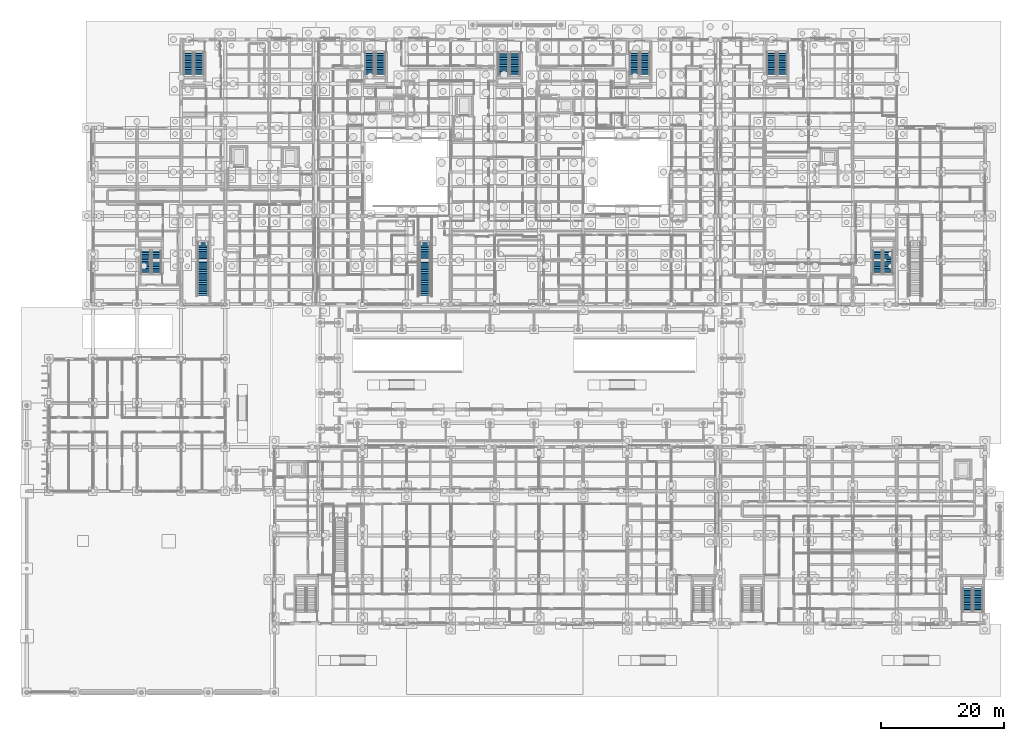
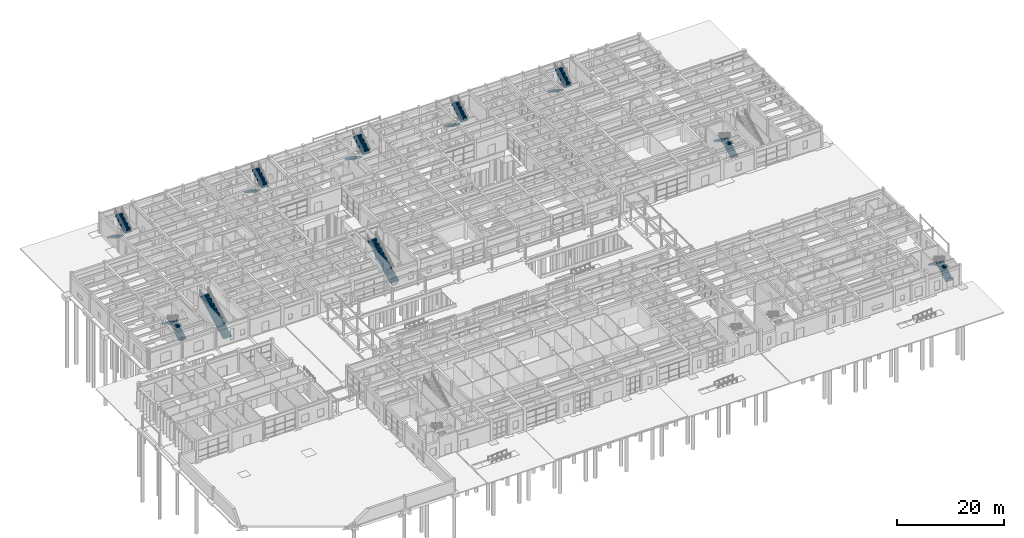
# One storey, part 123 of 143: 18 stair flights, 10 elements without a shape of their own.
"""IFC4 building model written with IfcOpenShell, lengths in metres."""

from ifc_helpers import new_model, si_unit, direction, frame, origin, place, context, subcontext, project, spatial, polyline, outline, extrude, material, type_object, element, aggregate, save


model = new_model("IFC4")

# Units and contexts
model_context = context("Model", 3, precision=1e-05, world=origin(), true_north=direction((0.0, 1.0)))
body_context = subcontext(model_context, "Body", "Model", "MODEL_VIEW")
ifc_project = project(units=[si_unit("LENGTHUNIT", "METRE"), si_unit("AREAUNIT", "SQUARE_METRE"), si_unit("VOLUMEUNIT", "CUBIC_METRE"), si_unit("PLANEANGLEUNIT", "RADIAN"), si_unit("MASSUNIT", "GRAM", prefix="KILO")], contexts=[model_context])

# Site, building, storey
site_placement = place(None, origin())
site = spatial("IfcSite", under=ifc_project, at=site_placement, CompositionType="ELEMENT")
building_placement = place(site_placement, origin())
building = spatial("IfcBuilding", under=site, at=building_placement, Name="Steenspoor Specialist Clinic", CompositionType="ELEMENT")
storey_placement = place(building_placement, origin())
storey = spatial("IfcBuildingStorey", under=building, at=storey_placement, Name="L00", CompositionType="ELEMENT", Elevation=0.0)

# Stair, stair flights
ifc_material = material(Name="Concrete C35/45", Category="concrete")
stair_type_1 = type_object("IfcStairType", Name="ST-CORE-L00", PredefinedType="HALF_TURN_STAIR", material=ifc_material)
stair_1_placement = place(storey_placement, origin())
stair_1 = element("IfcStair", 1, at=stair_1_placement, inside=storey, type_object=stair_type_1, Name="L00 Enclosed Exit Stair ST-V2B", PredefinedType="HALF_TURN_STAIR")
stair_flight_type_1 = type_object("IfcStairFlightType", Name="FL-CORE-L00", PredefinedType="STRAIGHT", material=ifc_material)
stair_flight_1_placement = place(storey_placement, frame((160.074951171875, 15.050048828125, 0.0), z_axis=(0.0, 0.0, 1.0), x_axis=(0.0, 1.0, 0.0)))
stair_flight_1 = element("IfcStairFlight", 2, at=stair_flight_1_placement, type_object=stair_flight_type_1, Name="ST-V2B flight 1", NumberOfRisers=14, NumberOfTreads=13, PredefinedType="STRAIGHT", RiserHeight=0.171428571, TreadLength=0.285, context=body_context, shape_type="SweptSolid", body=[
    extrude(outline(polyline([(0.0, 0.0), (0.0, 0.17138671875), (0.284912109375, 0.17138671875), (0.284912109375, 0.3427734375), (0.570068359375, 0.3427734375), (0.570068359375, 0.514404296875), (0.85498046875, 0.514404296875), (0.85498046875, 0.685791015625), (1.139892578125, 0.685791015625), (1.139892578125, 0.857177734375), (1.425048828125, 0.857177734375), (1.425048828125, 1.028564453125), (1.7099609375, 1.028564453125), (1.7099609375, 1.199951171875), (1.9951171875, 1.199951171875), (1.9951171875, 1.371337890625), (2.280029296875, 1.371337890625), (2.280029296875, 1.54296875), (2.56494140625, 1.54296875), (2.56494140625, 1.71435546875), (2.85009765625, 1.71435546875), (2.85009765625, 1.8857421875), (3.135009765625, 1.8857421875), (3.135009765625, 2.05712890625), (3.419921875, 2.05712890625), (3.419921875, 2.228515625), (3.705078125, 2.228515625), (3.705078125, 2.39990234375), (3.705078125, 2.0419921875), (0.310302734375, 0.0), (0.0, 0.0)])), frame((0.0, 0.77490234375, 0.0), z_axis=(0.0, -1.0, 0.0), x_axis=(1.0, 0.0, 0.0)), (0.0, 0.0, 1.0), 1.550048828125),
])
stair_flight_2_placement = place(storey_placement, frame((158.324951171875, 18.7548828125, 2.39990234375), z_axis=(0.0, 0.0, 1.0), x_axis=(0.0, -1.0, 0.0)))
stair_flight_2 = element("IfcStairFlight", 3, at=stair_flight_2_placement, type_object=stair_flight_type_1, Name="ST-V2B flight 2", NumberOfRisers=14, NumberOfTreads=13, PredefinedType="STRAIGHT", RiserHeight=0.171428571, TreadLength=0.285, context=body_context, shape_type="SweptSolid", body=[
    extrude(outline(polyline([(0.0, 0.0), (0.0, 0.17138671875), (0.284912109375, 0.17138671875), (0.284912109375, 0.3427734375), (0.570068359375, 0.3427734375), (0.570068359375, 0.514404296875), (0.85498046875, 0.514404296875), (0.85498046875, 0.685791015625), (1.139892578125, 0.685791015625), (1.139892578125, 0.857177734375), (1.425048828125, 0.857177734375), (1.425048828125, 1.028564453125), (1.7099609375, 1.028564453125), (1.7099609375, 1.199951171875), (1.9951171875, 1.199951171875), (1.9951171875, 1.371337890625), (2.280029296875, 1.371337890625), (2.280029296875, 1.54296875), (2.56494140625, 1.54296875), (2.56494140625, 1.71435546875), (2.85009765625, 1.71435546875), (2.85009765625, 1.8857421875), (3.135009765625, 1.8857421875), (3.135009765625, 2.05712890625), (3.419921875, 2.05712890625), (3.419921875, 2.228515625), (3.705078125, 2.228515625), (3.705078125, 2.39990234375), (3.705078125, 2.0419921875), (0.310302734375, 0.0), (0.0, 0.0)])), frame((0.0, 0.77490234375, 0.0), z_axis=(0.0, -1.0, 0.0), x_axis=(1.0, 0.0, 0.0)), (0.0, 0.0, 1.0), 1.550048828125),
])
aggregate(stair_1, [stair_flight_1, stair_flight_2])

stair_2_placement = place(storey_placement, origin())
stair_2 = element("IfcStair", 4, at=stair_2_placement, inside=storey, type_object=stair_type_1, Name="L00 Enclosed Exit Stair ST-V4A", PredefinedType="HALF_TURN_STAIR")
stair_flight_3_placement = place(storey_placement, frame((60.77490234375, 106.35009765625, 0.0), z_axis=(0.0, 0.0, 1.0), x_axis=(0.0, -1.0, 0.0)))
stair_flight_3 = element("IfcStairFlight", 5, at=stair_flight_3_placement, type_object=stair_flight_type_1, Name="ST-V4A flight 1", NumberOfRisers=14, NumberOfTreads=13, PredefinedType="STRAIGHT", RiserHeight=0.171428571, TreadLength=0.285, context=body_context, shape_type="SweptSolid", body=[
    extrude(outline(polyline([(0.0, 0.0), (0.0, 0.17138671875), (0.284912109375, 0.17138671875), (0.284912109375, 0.3427734375), (0.570068359375, 0.3427734375), (0.570068359375, 0.514404296875), (0.85498046875, 0.514404296875), (0.85498046875, 0.685791015625), (1.139892578125, 0.685791015625), (1.139892578125, 0.857177734375), (1.425048828125, 0.857177734375), (1.425048828125, 1.028564453125), (1.7099609375, 1.028564453125), (1.7099609375, 1.199951171875), (1.9951171875, 1.199951171875), (1.9951171875, 1.371337890625), (2.280029296875, 1.371337890625), (2.280029296875, 1.54296875), (2.56494140625, 1.54296875), (2.56494140625, 1.71435546875), (2.85009765625, 1.71435546875), (2.85009765625, 1.8857421875), (3.135009765625, 1.8857421875), (3.135009765625, 2.05712890625), (3.419921875, 2.05712890625), (3.419921875, 2.228515625), (3.705078125, 2.228515625), (3.705078125, 2.39990234375), (3.705078125, 2.0419921875), (0.310302734375, 0.0), (0.0, 0.0)])), frame((0.0, 0.77490234375, 0.0), z_axis=(0.0, -1.0, 0.0), x_axis=(1.0, 0.0, 0.0)), (0.0, 0.0, 1.0), 1.550048828125),
])
stair_flight_4_placement = place(storey_placement, frame((62.52490234375, 102.64501953125, 2.39990234375), z_axis=(0.0, 0.0, 1.0), x_axis=(0.0, 1.0, 0.0)))
stair_flight_4 = element("IfcStairFlight", 6, at=stair_flight_4_placement, type_object=stair_flight_type_1, Name="ST-V4A flight 2", NumberOfRisers=14, NumberOfTreads=13, PredefinedType="STRAIGHT", RiserHeight=0.171428571, TreadLength=0.285, context=body_context, shape_type="SweptSolid", body=[
    extrude(outline(polyline([(0.0, 0.0), (0.0, 0.17138671875), (0.284912109375, 0.17138671875), (0.284912109375, 0.3427734375), (0.570068359375, 0.3427734375), (0.570068359375, 0.514404296875), (0.85498046875, 0.514404296875), (0.85498046875, 0.685791015625), (1.139892578125, 0.685791015625), (1.139892578125, 0.857177734375), (1.425048828125, 0.857177734375), (1.425048828125, 1.028564453125), (1.7099609375, 1.028564453125), (1.7099609375, 1.199951171875), (1.9951171875, 1.199951171875), (1.9951171875, 1.371337890625), (2.280029296875, 1.371337890625), (2.280029296875, 1.54296875), (2.56494140625, 1.54296875), (2.56494140625, 1.71435546875), (2.85009765625, 1.71435546875), (2.85009765625, 1.8857421875), (3.135009765625, 1.8857421875), (3.135009765625, 2.05712890625), (3.419921875, 2.05712890625), (3.419921875, 2.228515625), (3.705078125, 2.228515625), (3.705078125, 2.39990234375), (3.705078125, 2.0419921875), (0.310302734375, 0.0), (0.0, 0.0)])), frame((0.0, 0.77490234375, 0.0), z_axis=(0.0, -1.0, 0.0), x_axis=(1.0, 0.0, 0.0)), (0.0, 0.0, 1.0), 1.550048828125),
])
aggregate(stair_2, [stair_flight_3, stair_flight_4])

stair_3_placement = place(storey_placement, origin())
stair_3 = element("IfcStair", 7, at=stair_3_placement, inside=storey, type_object=stair_type_1, Name="L00 Enclosed Exit Stair ST-V4B", PredefinedType="HALF_TURN_STAIR")
stair_flight_5_placement = place(storey_placement, frame((103.97509765625, 106.35009765625, 0.0), z_axis=(0.0, 0.0, 1.0), x_axis=(0.0, -1.0, 0.0)))
stair_flight_5 = element("IfcStairFlight", 8, at=stair_flight_5_placement, type_object=stair_flight_type_1, Name="ST-V4B flight 1", NumberOfRisers=14, NumberOfTreads=13, PredefinedType="STRAIGHT", RiserHeight=0.171428571, TreadLength=0.285, context=body_context, shape_type="SweptSolid", body=[
    extrude(outline(polyline([(0.0, 0.0), (0.0, 0.17138671875), (0.284912109375, 0.17138671875), (0.284912109375, 0.3427734375), (0.570068359375, 0.3427734375), (0.570068359375, 0.514404296875), (0.85498046875, 0.514404296875), (0.85498046875, 0.685791015625), (1.139892578125, 0.685791015625), (1.139892578125, 0.857177734375), (1.425048828125, 0.857177734375), (1.425048828125, 1.028564453125), (1.7099609375, 1.028564453125), (1.7099609375, 1.199951171875), (1.9951171875, 1.199951171875), (1.9951171875, 1.371337890625), (2.280029296875, 1.371337890625), (2.280029296875, 1.54296875), (2.56494140625, 1.54296875), (2.56494140625, 1.71435546875), (2.85009765625, 1.71435546875), (2.85009765625, 1.8857421875), (3.135009765625, 1.8857421875), (3.135009765625, 2.05712890625), (3.419921875, 2.05712890625), (3.419921875, 2.228515625), (3.705078125, 2.228515625), (3.705078125, 2.39990234375), (3.705078125, 2.0419921875), (0.310302734375, 0.0), (0.0, 0.0)])), frame((0.0, 0.77490234375, 0.0), z_axis=(0.0, -1.0, 0.0), x_axis=(1.0, 0.0, 0.0)), (0.0, 0.0, 1.0), 1.550048828125),
])
stair_flight_6_placement = place(storey_placement, frame((105.72509765625, 102.64501953125, 2.39990234375), z_axis=(0.0, 0.0, 1.0), x_axis=(0.0, 1.0, 0.0)))
stair_flight_6 = element("IfcStairFlight", 9, at=stair_flight_6_placement, type_object=stair_flight_type_1, Name="ST-V4B flight 2", NumberOfRisers=14, NumberOfTreads=13, PredefinedType="STRAIGHT", RiserHeight=0.171428571, TreadLength=0.285, context=body_context, shape_type="SweptSolid", body=[
    extrude(outline(polyline([(0.0, 0.0), (0.0, 0.17138671875), (0.284912109375, 0.17138671875), (0.284912109375, 0.3427734375), (0.570068359375, 0.3427734375), (0.570068359375, 0.514404296875), (0.85498046875, 0.514404296875), (0.85498046875, 0.685791015625), (1.139892578125, 0.685791015625), (1.139892578125, 0.857177734375), (1.425048828125, 0.857177734375), (1.425048828125, 1.028564453125), (1.7099609375, 1.028564453125), (1.7099609375, 1.199951171875), (1.9951171875, 1.199951171875), (1.9951171875, 1.371337890625), (2.280029296875, 1.371337890625), (2.280029296875, 1.54296875), (2.56494140625, 1.54296875), (2.56494140625, 1.71435546875), (2.85009765625, 1.71435546875), (2.85009765625, 1.8857421875), (3.135009765625, 1.8857421875), (3.135009765625, 2.05712890625), (3.419921875, 2.05712890625), (3.419921875, 2.228515625), (3.705078125, 2.228515625), (3.705078125, 2.39990234375), (3.705078125, 2.0419921875), (0.310302734375, 0.0), (0.0, 0.0)])), frame((0.0, 0.77490234375, 0.0), z_axis=(0.0, -1.0, 0.0), x_axis=(1.0, 0.0, 0.0)), (0.0, 0.0, 1.0), 1.550048828125),
])
aggregate(stair_3, [stair_flight_5, stair_flight_6])

stair_4_placement = place(storey_placement, origin())
stair_4 = element("IfcStair", 10, at=stair_4_placement, inside=storey, type_object=stair_type_1, Name="L00 Enclosed Exit Stair ST-V4C", PredefinedType="HALF_TURN_STAIR")
stair_flight_7_placement = place(storey_placement, frame((82.60009765625, 106.280029296875, 0.0), z_axis=(0.0, 0.0, 1.0), x_axis=(0.0, -1.0, 0.0)))
stair_flight_7 = element("IfcStairFlight", 11, at=stair_flight_7_placement, type_object=stair_flight_type_1, Name="ST-V4C flight 1", NumberOfRisers=14, NumberOfTreads=13, PredefinedType="STRAIGHT", RiserHeight=0.171428571, TreadLength=0.285, context=body_context, shape_type="SweptSolid", body=[
    extrude(outline(polyline([(0.0, 0.0), (0.0, 0.17138671875), (0.284912109375, 0.17138671875), (0.284912109375, 0.3427734375), (0.570068359375, 0.3427734375), (0.570068359375, 0.514404296875), (0.85498046875, 0.514404296875), (0.85498046875, 0.685791015625), (1.139892578125, 0.685791015625), (1.139892578125, 0.857177734375), (1.425048828125, 0.857177734375), (1.425048828125, 1.028564453125), (1.7099609375, 1.028564453125), (1.7099609375, 1.199951171875), (1.9951171875, 1.199951171875), (1.9951171875, 1.371337890625), (2.280029296875, 1.371337890625), (2.280029296875, 1.54296875), (2.56494140625, 1.54296875), (2.56494140625, 1.71435546875), (2.85009765625, 1.71435546875), (2.85009765625, 1.8857421875), (3.135009765625, 1.8857421875), (3.135009765625, 2.05712890625), (3.419921875, 2.05712890625), (3.419921875, 2.228515625), (3.705078125, 2.228515625), (3.705078125, 2.39990234375), (3.705078125, 2.0419921875), (0.310302734375, 0.0), (0.0, 0.0)])), frame((0.0, 0.85009765625, 0.0), z_axis=(0.0, -1.0, 0.0), x_axis=(1.0, 0.0, 0.0)), (0.0, 0.0, 1.0), 1.699951171875),
])
stair_flight_8_placement = place(storey_placement, frame((84.5, 102.574951171875, 2.39990234375), z_axis=(0.0, 0.0, 1.0), x_axis=(0.0, 1.0, 0.0)))
stair_flight_8 = element("IfcStairFlight", 12, at=stair_flight_8_placement, type_object=stair_flight_type_1, Name="ST-V4C flight 2", NumberOfRisers=14, NumberOfTreads=13, PredefinedType="STRAIGHT", RiserHeight=0.171428571, TreadLength=0.285, context=body_context, shape_type="SweptSolid", body=[
    extrude(outline(polyline([(0.0, 0.0), (0.0, 0.17138671875), (0.284912109375, 0.17138671875), (0.284912109375, 0.3427734375), (0.570068359375, 0.3427734375), (0.570068359375, 0.514404296875), (0.85498046875, 0.514404296875), (0.85498046875, 0.685791015625), (1.139892578125, 0.685791015625), (1.139892578125, 0.857177734375), (1.425048828125, 0.857177734375), (1.425048828125, 1.028564453125), (1.7099609375, 1.028564453125), (1.7099609375, 1.199951171875), (1.9951171875, 1.199951171875), (1.9951171875, 1.371337890625), (2.280029296875, 1.371337890625), (2.280029296875, 1.54296875), (2.56494140625, 1.54296875), (2.56494140625, 1.71435546875), (2.85009765625, 1.71435546875), (2.85009765625, 1.8857421875), (3.135009765625, 1.8857421875), (3.135009765625, 2.05712890625), (3.419921875, 2.05712890625), (3.419921875, 2.228515625), (3.705078125, 2.228515625), (3.705078125, 2.39990234375), (3.705078125, 2.0419921875), (0.310302734375, 0.0), (0.0, 0.0)])), frame((0.0, 0.85009765625, 0.0), z_axis=(0.0, -1.0, 0.0), x_axis=(1.0, 0.0, 0.0)), (0.0, 0.0, 1.0), 1.699951171875),
])
aggregate(stair_4, [stair_flight_7, stair_flight_8])

stair_5_placement = place(storey_placement, origin())
stair_5 = element("IfcStair", 13, at=stair_5_placement, inside=storey, type_object=stair_type_1, Name="L00 Enclosed Exit Stair ST-V5A", PredefinedType="HALF_TURN_STAIR")
stair_flight_9_placement = place(storey_placement, frame((31.175048828125, 106.35009765625, 0.0), z_axis=(0.0, 0.0, 1.0), x_axis=(0.0, -1.0, 0.0)))
stair_flight_9 = element("IfcStairFlight", 14, at=stair_flight_9_placement, type_object=stair_flight_type_1, Name="ST-V5A flight 1", NumberOfRisers=14, NumberOfTreads=13, PredefinedType="STRAIGHT", RiserHeight=0.171428571, TreadLength=0.285, context=body_context, shape_type="SweptSolid", body=[
    extrude(outline(polyline([(0.0, 0.0), (0.0, 0.17138671875), (0.284912109375, 0.17138671875), (0.284912109375, 0.3427734375), (0.570068359375, 0.3427734375), (0.570068359375, 0.514404296875), (0.85498046875, 0.514404296875), (0.85498046875, 0.685791015625), (1.139892578125, 0.685791015625), (1.139892578125, 0.857177734375), (1.425048828125, 0.857177734375), (1.425048828125, 1.028564453125), (1.7099609375, 1.028564453125), (1.7099609375, 1.199951171875), (1.9951171875, 1.199951171875), (1.9951171875, 1.371337890625), (2.280029296875, 1.371337890625), (2.280029296875, 1.54296875), (2.56494140625, 1.54296875), (2.56494140625, 1.71435546875), (2.85009765625, 1.71435546875), (2.85009765625, 1.8857421875), (3.135009765625, 1.8857421875), (3.135009765625, 2.05712890625), (3.419921875, 2.05712890625), (3.419921875, 2.228515625), (3.705078125, 2.228515625), (3.705078125, 2.39990234375), (3.705078125, 2.0419921875), (0.310302734375, 0.0), (0.0, 0.0)])), frame((0.0, 0.77490234375, 0.0), z_axis=(0.0, -1.0, 0.0), x_axis=(1.0, 0.0, 0.0)), (0.0, 0.0, 1.0), 1.550048828125),
])
stair_flight_10_placement = place(storey_placement, frame((32.925048828125, 102.64501953125, 2.39990234375), z_axis=(0.0, 0.0, 1.0), x_axis=(0.0, 1.0, 0.0)))
stair_flight_10 = element("IfcStairFlight", 15, at=stair_flight_10_placement, type_object=stair_flight_type_1, Name="ST-V5A flight 2", NumberOfRisers=14, NumberOfTreads=13, PredefinedType="STRAIGHT", RiserHeight=0.171428571, TreadLength=0.285, context=body_context, shape_type="SweptSolid", body=[
    extrude(outline(polyline([(0.0, 0.0), (0.0, 0.17138671875), (0.284912109375, 0.17138671875), (0.284912109375, 0.3427734375), (0.570068359375, 0.3427734375), (0.570068359375, 0.514404296875), (0.85498046875, 0.514404296875), (0.85498046875, 0.685791015625), (1.139892578125, 0.685791015625), (1.139892578125, 0.857177734375), (1.425048828125, 0.857177734375), (1.425048828125, 1.028564453125), (1.7099609375, 1.028564453125), (1.7099609375, 1.199951171875), (1.9951171875, 1.199951171875), (1.9951171875, 1.371337890625), (2.280029296875, 1.371337890625), (2.280029296875, 1.54296875), (2.56494140625, 1.54296875), (2.56494140625, 1.71435546875), (2.85009765625, 1.71435546875), (2.85009765625, 1.8857421875), (3.135009765625, 1.8857421875), (3.135009765625, 2.05712890625), (3.419921875, 2.05712890625), (3.419921875, 2.228515625), (3.705078125, 2.228515625), (3.705078125, 2.39990234375), (3.705078125, 2.0419921875), (0.310302734375, 0.0), (0.0, 0.0)])), frame((0.0, 0.77490234375, 0.0), z_axis=(0.0, -1.0, 0.0), x_axis=(1.0, 0.0, 0.0)), (0.0, 0.0, 1.0), 1.550048828125),
])
aggregate(stair_5, [stair_flight_9, stair_flight_10])

stair_6_placement = place(storey_placement, origin())
stair_6 = element("IfcStair", 16, at=stair_6_placement, inside=storey, type_object=stair_type_1, Name="L00 Enclosed Exit Stair ST-V5B", PredefinedType="HALF_TURN_STAIR")
stair_flight_11_placement = place(storey_placement, frame((25.97509765625, 70.14990234375, 0.0), z_axis=(0.0, 0.0, 1.0), x_axis=(0.0, 1.0, 0.0)))
stair_flight_11 = element("IfcStairFlight", 17, at=stair_flight_11_placement, type_object=stair_flight_type_1, Name="ST-V5B flight 1", NumberOfRisers=14, NumberOfTreads=13, PredefinedType="STRAIGHT", RiserHeight=0.171428571, TreadLength=0.285, context=body_context, shape_type="SweptSolid", body=[
    extrude(outline(polyline([(0.0, 0.0), (0.0, 0.17138671875), (0.284912109375, 0.17138671875), (0.284912109375, 0.3427734375), (0.570068359375, 0.3427734375), (0.570068359375, 0.514404296875), (0.85498046875, 0.514404296875), (0.85498046875, 0.685791015625), (1.139892578125, 0.685791015625), (1.139892578125, 0.857177734375), (1.425048828125, 0.857177734375), (1.425048828125, 1.028564453125), (1.7099609375, 1.028564453125), (1.7099609375, 1.199951171875), (1.9951171875, 1.199951171875), (1.9951171875, 1.371337890625), (2.280029296875, 1.371337890625), (2.280029296875, 1.54296875), (2.56494140625, 1.54296875), (2.56494140625, 1.71435546875), (2.85009765625, 1.71435546875), (2.85009765625, 1.8857421875), (3.135009765625, 1.8857421875), (3.135009765625, 2.05712890625), (3.419921875, 2.05712890625), (3.419921875, 2.228515625), (3.705078125, 2.228515625), (3.705078125, 2.39990234375), (3.705078125, 2.0419921875), (0.310302734375, 0.0), (0.0, 0.0)])), frame((0.0, 0.77490234375, 0.0), z_axis=(0.0, -1.0, 0.0), x_axis=(1.0, 0.0, 0.0)), (0.0, 0.0, 1.0), 1.550048828125),
])
stair_flight_12_placement = place(storey_placement, frame((24.22509765625, 73.85498046875, 2.39990234375), z_axis=(0.0, 0.0, 1.0), x_axis=(0.0, -1.0, 0.0)))
stair_flight_12 = element("IfcStairFlight", 18, at=stair_flight_12_placement, type_object=stair_flight_type_1, Name="ST-V5B flight 2", NumberOfRisers=14, NumberOfTreads=13, PredefinedType="STRAIGHT", RiserHeight=0.171428571, TreadLength=0.285, context=body_context, shape_type="SweptSolid", body=[
    extrude(outline(polyline([(0.0, 0.0), (0.0, 0.17138671875), (0.284912109375, 0.17138671875), (0.284912109375, 0.3427734375), (0.570068359375, 0.3427734375), (0.570068359375, 0.514404296875), (0.85498046875, 0.514404296875), (0.85498046875, 0.685791015625), (1.139892578125, 0.685791015625), (1.139892578125, 0.857177734375), (1.425048828125, 0.857177734375), (1.425048828125, 1.028564453125), (1.7099609375, 1.028564453125), (1.7099609375, 1.199951171875), (1.9951171875, 1.199951171875), (1.9951171875, 1.371337890625), (2.280029296875, 1.371337890625), (2.280029296875, 1.54296875), (2.56494140625, 1.54296875), (2.56494140625, 1.71435546875), (2.85009765625, 1.71435546875), (2.85009765625, 1.8857421875), (3.135009765625, 1.8857421875), (3.135009765625, 2.05712890625), (3.419921875, 2.05712890625), (3.419921875, 2.228515625), (3.705078125, 2.228515625), (3.705078125, 2.39990234375), (3.705078125, 2.0419921875), (0.310302734375, 0.0), (0.0, 0.0)])), frame((0.0, 0.77490234375, 0.0), z_axis=(0.0, -1.0, 0.0), x_axis=(1.0, 0.0, 0.0)), (0.0, 0.0, 1.0), 1.550048828125),
])
aggregate(stair_6, [stair_flight_11, stair_flight_12])

stair_7_placement = place(storey_placement, origin())
stair_7 = element("IfcStair", 19, at=stair_7_placement, inside=storey, type_object=stair_type_1, Name="L00 Enclosed Exit Stair ST-V6A", PredefinedType="HALF_TURN_STAIR")
stair_flight_13_placement = place(storey_placement, frame((126.375, 106.35009765625, 0.0), z_axis=(0.0, 0.0, 1.0), x_axis=(0.0, -1.0, 0.0)))
stair_flight_13 = element("IfcStairFlight", 20, at=stair_flight_13_placement, type_object=stair_flight_type_1, Name="ST-V6A flight 1", NumberOfRisers=14, NumberOfTreads=13, PredefinedType="STRAIGHT", RiserHeight=0.171428571, TreadLength=0.285, context=body_context, shape_type="SweptSolid", body=[
    extrude(outline(polyline([(0.0, 0.0), (0.0, 0.17138671875), (0.284912109375, 0.17138671875), (0.284912109375, 0.3427734375), (0.570068359375, 0.3427734375), (0.570068359375, 0.514404296875), (0.85498046875, 0.514404296875), (0.85498046875, 0.685791015625), (1.139892578125, 0.685791015625), (1.139892578125, 0.857177734375), (1.425048828125, 0.857177734375), (1.425048828125, 1.028564453125), (1.7099609375, 1.028564453125), (1.7099609375, 1.199951171875), (1.9951171875, 1.199951171875), (1.9951171875, 1.371337890625), (2.280029296875, 1.371337890625), (2.280029296875, 1.54296875), (2.56494140625, 1.54296875), (2.56494140625, 1.71435546875), (2.85009765625, 1.71435546875), (2.85009765625, 1.8857421875), (3.135009765625, 1.8857421875), (3.135009765625, 2.05712890625), (3.419921875, 2.05712890625), (3.419921875, 2.228515625), (3.705078125, 2.228515625), (3.705078125, 2.39990234375), (3.705078125, 2.0419921875), (0.310302734375, 0.0), (0.0, 0.0)])), frame((0.0, 0.77490234375, 0.0), z_axis=(0.0, -1.0, 0.0), x_axis=(1.0, 0.0, 0.0)), (0.0, 0.0, 1.0), 1.550048828125),
])
stair_flight_14_placement = place(storey_placement, frame((128.125, 102.64501953125, 2.39990234375), z_axis=(0.0, 0.0, 1.0), x_axis=(0.0, 1.0, 0.0)))
stair_flight_14 = element("IfcStairFlight", 21, at=stair_flight_14_placement, type_object=stair_flight_type_1, Name="ST-V6A flight 2", NumberOfRisers=14, NumberOfTreads=13, PredefinedType="STRAIGHT", RiserHeight=0.171428571, TreadLength=0.285, context=body_context, shape_type="SweptSolid", body=[
    extrude(outline(polyline([(0.0, 0.0), (0.0, 0.17138671875), (0.284912109375, 0.17138671875), (0.284912109375, 0.3427734375), (0.570068359375, 0.3427734375), (0.570068359375, 0.514404296875), (0.85498046875, 0.514404296875), (0.85498046875, 0.685791015625), (1.139892578125, 0.685791015625), (1.139892578125, 0.857177734375), (1.425048828125, 0.857177734375), (1.425048828125, 1.028564453125), (1.7099609375, 1.028564453125), (1.7099609375, 1.199951171875), (1.9951171875, 1.199951171875), (1.9951171875, 1.371337890625), (2.280029296875, 1.371337890625), (2.280029296875, 1.54296875), (2.56494140625, 1.54296875), (2.56494140625, 1.71435546875), (2.85009765625, 1.71435546875), (2.85009765625, 1.8857421875), (3.135009765625, 1.8857421875), (3.135009765625, 2.05712890625), (3.419921875, 2.05712890625), (3.419921875, 2.228515625), (3.705078125, 2.228515625), (3.705078125, 2.39990234375), (3.705078125, 2.0419921875), (0.310302734375, 0.0), (0.0, 0.0)])), frame((0.0, 0.77490234375, 0.0), z_axis=(0.0, -1.0, 0.0), x_axis=(1.0, 0.0, 0.0)), (0.0, 0.0, 1.0), 1.550048828125),
])
aggregate(stair_7, [stair_flight_13, stair_flight_14])

stair_8_placement = place(storey_placement, origin())
stair_8 = element("IfcStair", 22, at=stair_8_placement, inside=storey, type_object=stair_type_1, Name="L00 Enclosed Exit Stair ST-V6B", PredefinedType="HALF_TURN_STAIR")
stair_flight_15_placement = place(storey_placement, frame((145.375, 70.14990234375, 0.0), z_axis=(0.0, 0.0, 1.0), x_axis=(0.0, 1.0, 0.0)))
stair_flight_15 = element("IfcStairFlight", 23, at=stair_flight_15_placement, type_object=stair_flight_type_1, Name="ST-V6B flight 1", NumberOfRisers=14, NumberOfTreads=13, PredefinedType="STRAIGHT", RiserHeight=0.171428571, TreadLength=0.285, context=body_context, shape_type="SweptSolid", body=[
    extrude(outline(polyline([(0.0, 0.0), (0.0, 0.17138671875), (0.284912109375, 0.17138671875), (0.284912109375, 0.3427734375), (0.570068359375, 0.3427734375), (0.570068359375, 0.514404296875), (0.85498046875, 0.514404296875), (0.85498046875, 0.685791015625), (1.139892578125, 0.685791015625), (1.139892578125, 0.857177734375), (1.425048828125, 0.857177734375), (1.425048828125, 1.028564453125), (1.7099609375, 1.028564453125), (1.7099609375, 1.199951171875), (1.9951171875, 1.199951171875), (1.9951171875, 1.371337890625), (2.280029296875, 1.371337890625), (2.280029296875, 1.54296875), (2.56494140625, 1.54296875), (2.56494140625, 1.71435546875), (2.85009765625, 1.71435546875), (2.85009765625, 1.8857421875), (3.135009765625, 1.8857421875), (3.135009765625, 2.05712890625), (3.419921875, 2.05712890625), (3.419921875, 2.228515625), (3.705078125, 2.228515625), (3.705078125, 2.39990234375), (3.705078125, 2.0419921875), (0.310302734375, 0.0), (0.0, 0.0)])), frame((0.0, 0.77490234375, 0.0), z_axis=(0.0, -1.0, 0.0), x_axis=(1.0, 0.0, 0.0)), (0.0, 0.0, 1.0), 1.550048828125),
])
stair_flight_16_placement = place(storey_placement, frame((143.625, 73.85498046875, 2.39990234375), z_axis=(0.0, 0.0, 1.0), x_axis=(0.0, -1.0, 0.0)))
stair_flight_16 = element("IfcStairFlight", 24, at=stair_flight_16_placement, type_object=stair_flight_type_1, Name="ST-V6B flight 2", NumberOfRisers=14, NumberOfTreads=13, PredefinedType="STRAIGHT", RiserHeight=0.171428571, TreadLength=0.285, context=body_context, shape_type="SweptSolid", body=[
    extrude(outline(polyline([(0.0, 0.0), (0.0, 0.17138671875), (0.284912109375, 0.17138671875), (0.284912109375, 0.3427734375), (0.570068359375, 0.3427734375), (0.570068359375, 0.514404296875), (0.85498046875, 0.514404296875), (0.85498046875, 0.685791015625), (1.139892578125, 0.685791015625), (1.139892578125, 0.857177734375), (1.425048828125, 0.857177734375), (1.425048828125, 1.028564453125), (1.7099609375, 1.028564453125), (1.7099609375, 1.199951171875), (1.9951171875, 1.199951171875), (1.9951171875, 1.371337890625), (2.280029296875, 1.371337890625), (2.280029296875, 1.54296875), (2.56494140625, 1.54296875), (2.56494140625, 1.71435546875), (2.85009765625, 1.71435546875), (2.85009765625, 1.8857421875), (3.135009765625, 1.8857421875), (3.135009765625, 2.05712890625), (3.419921875, 2.05712890625), (3.419921875, 2.228515625), (3.705078125, 2.228515625), (3.705078125, 2.39990234375), (3.705078125, 2.0419921875), (0.310302734375, 0.0), (0.0, 0.0)])), frame((0.0, 0.77490234375, 0.0), z_axis=(0.0, -1.0, 0.0), x_axis=(1.0, 0.0, 0.0)), (0.0, 0.0, 1.0), 1.550048828125),
])
aggregate(stair_8, [stair_flight_15, stair_flight_16])

# Stair, stair flight
stair_type_2 = type_object("IfcStairType", Name="ST-FEAT-L00", PredefinedType="STRAIGHT_RUN_STAIR", material=ifc_material)
stair_9_placement = place(storey_placement, origin())
stair_9 = element("IfcStair", 25, at=stair_9_placement, inside=storey, type_object=stair_type_2, Name="Feature Atrium Stair ST-F02", PredefinedType="STRAIGHT_RUN_STAIR")
stair_flight_type_2 = type_object("IfcStairFlightType", Name="FL-FEAT-L00", PredefinedType="STRAIGHT", material=ifc_material)
stair_flight_17_placement = place(storey_placement, frame((69.800048828125, 66.60009765625, 0.0), z_axis=(0.0, 0.0, 1.0), x_axis=(0.0, 1.0, 0.0)))
stair_flight_17 = element("IfcStairFlight", 26, at=stair_flight_17_placement, type_object=stair_flight_type_2, Name="ST-F02 flight 1", NumberOfRisers=30, NumberOfTreads=29, PredefinedType="STRAIGHT", RiserHeight=0.16, TreadLength=0.3, context=body_context, shape_type="SweptSolid", body=[
    extrude(outline(polyline([(0.0, 0.0), (0.0, 0.159912109375), (0.300048828125, 0.159912109375), (0.300048828125, 0.320068359375), (0.60009765625, 0.320068359375), (0.60009765625, 0.47998046875), (0.89990234375, 0.47998046875), (0.89990234375, 0.639892578125), (1.199951171875, 0.639892578125), (1.199951171875, 0.800048828125), (1.5, 0.800048828125), (1.5, 0.9599609375), (1.800048828125, 0.9599609375), (1.800048828125, 1.1201171875), (2.10009765625, 1.1201171875), (2.10009765625, 1.280029296875), (2.39990234375, 1.280029296875), (2.39990234375, 1.43994140625), (2.699951171875, 1.43994140625), (2.699951171875, 1.60009765625), (3.0, 1.60009765625), (3.0, 1.760009765625), (3.300048828125, 1.760009765625), (3.300048828125, 1.919921875), (3.60009765625, 1.919921875), (3.60009765625, 2.080078125), (3.89990234375, 2.080078125), (3.89990234375, 2.239990234375), (4.199951171875, 2.239990234375), (4.199951171875, 2.39990234375), (4.5, 2.39990234375), (4.5, 2.56005859375), (4.800048828125, 2.56005859375), (4.800048828125, 2.719970703125), (5.10009765625, 2.719970703125), (5.10009765625, 2.8798828125), (5.39990234375, 2.8798828125), (5.39990234375, 3.0400390625), (5.699951171875, 3.0400390625), (5.699951171875, 3.199951171875), (6.0, 3.199951171875), (6.0, 3.360107421875), (6.300048828125, 3.360107421875), (6.300048828125, 3.52001953125), (6.60009765625, 3.52001953125), (6.60009765625, 3.679931640625), (6.89990234375, 3.679931640625), (6.89990234375, 3.840087890625), (7.199951171875, 3.840087890625), (7.199951171875, 4.0), (7.5, 4.0), (7.5, 4.159912109375), (7.800048828125, 4.159912109375), (7.800048828125, 4.320068359375), (8.10009765625, 4.320068359375), (8.10009765625, 4.47998046875), (8.39990234375, 4.47998046875), (8.39990234375, 4.639892578125), (8.699951171875, 4.639892578125), (8.699951171875, 4.800048828125), (8.699951171875, 4.458740234375), (0.33984375, 0.0), (0.0, 0.0)])), frame((0.0, 0.925048828125, 0.0), z_axis=(0.0, -1.0, 0.0), x_axis=(1.0, 0.0, 0.0)), (0.0, 0.0, 1.0), 1.85009765625),
])
aggregate(stair_9, [stair_flight_17])

stair_10_placement = place(storey_placement, origin())
stair_10 = element("IfcStair", 27, at=stair_10_placement, inside=storey, type_object=stair_type_2, Name="Feature Atrium Stair ST-F05", PredefinedType="STRAIGHT_RUN_STAIR")
stair_flight_18_placement = place(storey_placement, frame((33.60009765625, 66.60009765625, 0.0), z_axis=(0.0, 0.0, 1.0), x_axis=(0.0, 1.0, 0.0)))
stair_flight_18 = element("IfcStairFlight", 28, at=stair_flight_18_placement, type_object=stair_flight_type_2, Name="ST-F05 flight 1", NumberOfRisers=30, NumberOfTreads=29, PredefinedType="STRAIGHT", RiserHeight=0.16, TreadLength=0.3, context=body_context, shape_type="SweptSolid", body=[
    extrude(outline(polyline([(0.0, 0.0), (0.0, 0.159912109375), (0.300048828125, 0.159912109375), (0.300048828125, 0.320068359375), (0.60009765625, 0.320068359375), (0.60009765625, 0.47998046875), (0.89990234375, 0.47998046875), (0.89990234375, 0.639892578125), (1.199951171875, 0.639892578125), (1.199951171875, 0.800048828125), (1.5, 0.800048828125), (1.5, 0.9599609375), (1.800048828125, 0.9599609375), (1.800048828125, 1.1201171875), (2.10009765625, 1.1201171875), (2.10009765625, 1.280029296875), (2.39990234375, 1.280029296875), (2.39990234375, 1.43994140625), (2.699951171875, 1.43994140625), (2.699951171875, 1.60009765625), (3.0, 1.60009765625), (3.0, 1.760009765625), (3.300048828125, 1.760009765625), (3.300048828125, 1.919921875), (3.60009765625, 1.919921875), (3.60009765625, 2.080078125), (3.89990234375, 2.080078125), (3.89990234375, 2.239990234375), (4.199951171875, 2.239990234375), (4.199951171875, 2.39990234375), (4.5, 2.39990234375), (4.5, 2.56005859375), (4.800048828125, 2.56005859375), (4.800048828125, 2.719970703125), (5.10009765625, 2.719970703125), (5.10009765625, 2.8798828125), (5.39990234375, 2.8798828125), (5.39990234375, 3.0400390625), (5.699951171875, 3.0400390625), (5.699951171875, 3.199951171875), (6.0, 3.199951171875), (6.0, 3.360107421875), (6.300048828125, 3.360107421875), (6.300048828125, 3.52001953125), (6.60009765625, 3.52001953125), (6.60009765625, 3.679931640625), (6.89990234375, 3.679931640625), (6.89990234375, 3.840087890625), (7.199951171875, 3.840087890625), (7.199951171875, 4.0), (7.5, 4.0), (7.5, 4.159912109375), (7.800048828125, 4.159912109375), (7.800048828125, 4.320068359375), (8.10009765625, 4.320068359375), (8.10009765625, 4.47998046875), (8.39990234375, 4.47998046875), (8.39990234375, 4.639892578125), (8.699951171875, 4.639892578125), (8.699951171875, 4.800048828125), (8.699951171875, 4.458740234375), (0.33984375, 0.0), (0.0, 0.0)])), frame((0.0, 0.925048828125, 0.0), z_axis=(0.0, -1.0, 0.0), x_axis=(1.0, 0.0, 0.0)), (0.0, 0.0, 1.0), 1.85009765625),
])
aggregate(stair_10, [stair_flight_18])

save(model, "model.ifc")
